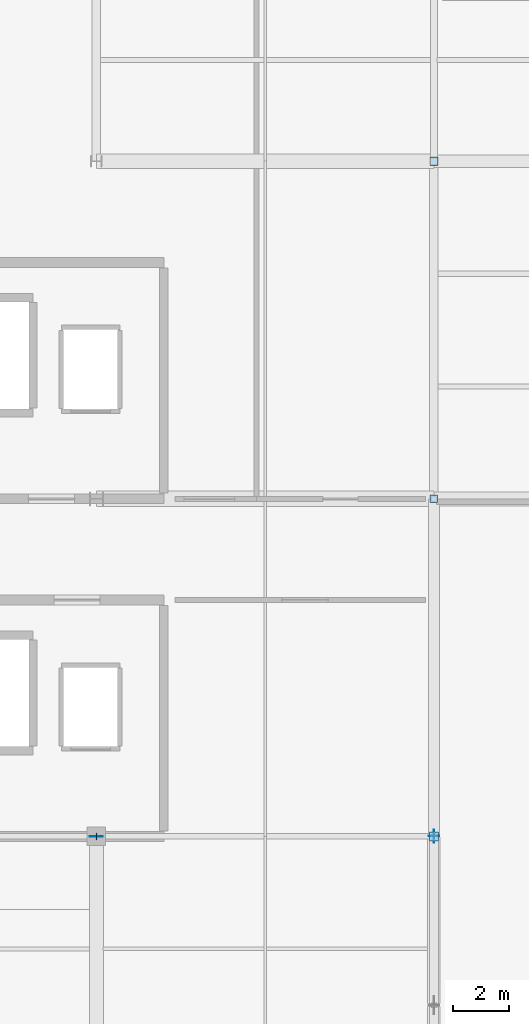
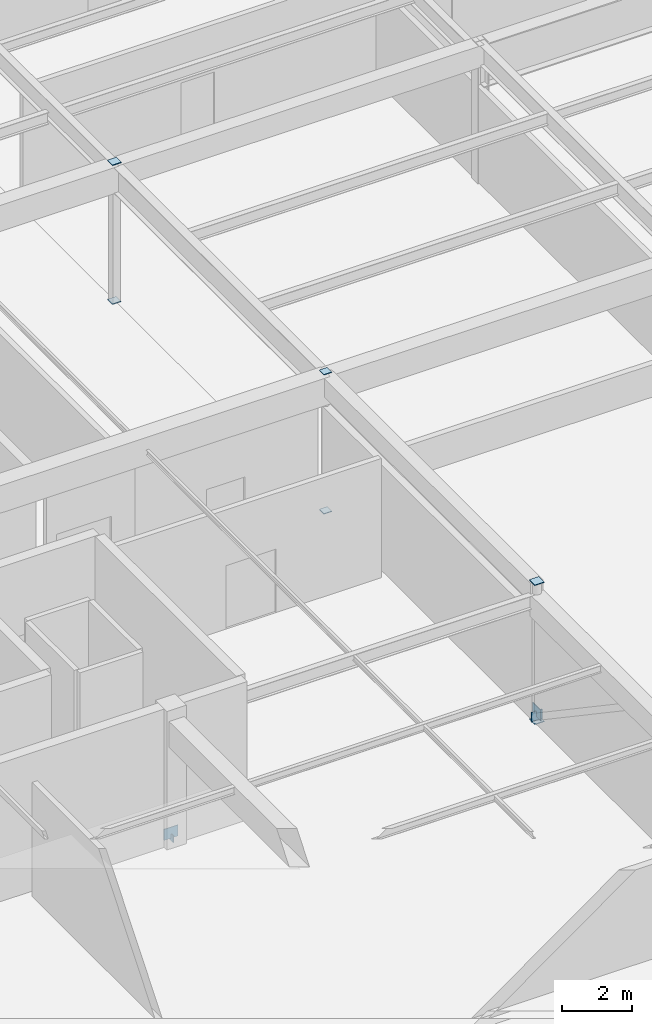
# One storey, part 138 of 186: 10 plates.
"""IFC4 building model written with IfcOpenShell, lengths in metres."""

from ifc_helpers import new_model, si_unit, direction, frame, origin, origin_2d, place, context, subcontext, project, spatial, rectangle, extrude, material, layer, layer_set, type_object, element, save


model = new_model("IFC4")

# Units and contexts
model_context = context("Model", 3, precision=1e-05, world=origin(), true_north=direction((0.0, 1.0)))
body_context = subcontext(model_context, "Body", "Model", "MODEL_VIEW")
ifc_project = project(units=[si_unit("LENGTHUNIT", "METRE"), si_unit("AREAUNIT", "SQUARE_METRE"), si_unit("VOLUMEUNIT", "CUBIC_METRE"), si_unit("PLANEANGLEUNIT", "RADIAN"), si_unit("MASSUNIT", "GRAM", prefix="KILO")], contexts=[model_context])

# Site, building, storey
site_placement = place(None, origin())
site = spatial("IfcSite", under=ifc_project, at=site_placement, CompositionType="ELEMENT")
building_placement = place(site_placement, origin())
building = spatial("IfcBuilding", under=site, at=building_placement, Name="Tarnwether General Hospital", CompositionType="ELEMENT")
storey_placement = place(building_placement, frame((0.0, 0.0, 9.60009765625)))
storey = spatial("IfcBuildingStorey", under=building, at=storey_placement, Name="L02", CompositionType="ELEMENT", Elevation=9.60009765625)

# Plates
ifc_material = material(Name="Steel Grade 350 (350 MPa)", Category="steel")
ifc_layer = layer(ifc_material, 0.02490234375)
ifc_layer_set = layer_set([ifc_layer], Name="Steel Grade 350 (350 MPa)")
plate_type = type_object("IfcPlateType", Name="PT-GUS2", PredefinedType="USERDEFINED", material=ifc_layer_set)
for number, where, z_axis, x_axis, name in (
    (1, (36.0, 69.60009765625, 0.10986328125), (0.0, 0.0, 1.0), (1.0, 0.0, 0.0), "Brace Base Gusset Plate 027"),
    (2, (48.0, 69.60009765625, 0.10986328125), (0.0, 0.0, 1.0), (0.0, 1.0, 0.0), "Brace Base Gusset Plate 030"),
):
    element("IfcPlate", number, at=place(storey_placement, frame(where, z_axis=z_axis, x_axis=x_axis)), inside=storey, type_object=plate_type, Name=name, ObjectType="GUSSET", PredefinedType="USERDEFINED", context=body_context, shape_type="SweptSolid", body=[
        extrude(rectangle(XDim=0.4599609375, YDim=0.02490234375, at=origin_2d()), origin(), (0.0, 0.0, 1.0), 0.3798828125),
    ])
for number, where, z_axis, x_axis, name in (
    (3, (48.0, 69.60009765625, -0.025146484375), (0.0, 0.0, 1.0), (1.0, 0.0, 0.0), "Hollow Section Welded End Cap Plate 0087"),
    (4, (48.0, 69.60009765625, 4.800048828125), (0.0, 0.0, 1.0), (1.0, 0.0, 0.0), "Hollow Section Welded End Cap Plate 0088"),
):
    element("IfcPlate", number, at=place(storey_placement, frame(where, z_axis=z_axis, x_axis=x_axis)), inside=storey, type_object=plate_type, Name=name, ObjectType="GUSSET", PredefinedType="USERDEFINED", context=body_context, shape_type="SweptSolid", body=[
        extrude(rectangle(XDim=0.31298828125, YDim=0.31298828125, at=origin_2d()), origin(), (0.0, 0.0, 1.0), 0.02490234375),
    ])
for number, where, z_axis, x_axis, name in (
    (5, (48.0, 81.60009765625, -0.025146484375), (0.0, 0.0, 1.0), (1.0, 0.0, 0.0), "Hollow Section Welded End Cap Plate 0095"),
    (6, (48.0, 81.60009765625, 4.800048828125), (0.0, 0.0, 1.0), (1.0, 0.0, 0.0), "Hollow Section Welded End Cap Plate 0096"),
):
    element("IfcPlate", number, at=place(storey_placement, frame(where, z_axis=z_axis, x_axis=x_axis)), inside=storey, type_object=plate_type, Name=name, ObjectType="GUSSET", PredefinedType="USERDEFINED", context=body_context, shape_type="SweptSolid", body=[
        extrude(rectangle(XDim=0.259033203125, YDim=0.259033203125, at=origin_2d()), origin(), (0.0, 0.0, 1.0), 0.02490234375),
    ])
for number, where, z_axis, x_axis, name in (
    (7, (48.0, 93.60009765625, -0.025146484375), (0.0, 0.0, 1.0), (1.0, 0.0, 0.0), "Hollow Section Welded End Cap Plate 0103"),
    (8, (48.0, 93.60009765625, 4.800048828125), (0.0, 0.0, 1.0), (1.0, 0.0, 0.0), "Hollow Section Welded End Cap Plate 0104"),
):
    element("IfcPlate", number, at=place(storey_placement, frame(where, z_axis=z_axis, x_axis=x_axis)), inside=storey, type_object=plate_type, Name=name, ObjectType="GUSSET", PredefinedType="USERDEFINED", context=body_context, shape_type="SweptSolid", body=[
        extrude(rectangle(XDim=0.2900390625, YDim=0.2900390625, at=origin_2d()), origin(), (0.0, 0.0, 1.0), 0.02490234375),
    ])
plate_1_placement = place(storey_placement, frame((36.010498046875, 69.60009765625, 0.0126953125), z_axis=(0.0, 0.0, 1.0), x_axis=(-1.0, 0.0, 0.0)))
element("IfcPlate", 9, at=plate_1_placement, inside=storey, type_object=plate_type, Name="Hollow Section Welded End Cap Plate 1213", ObjectType="GUSSET", PredefinedType="USERDEFINED", context=body_context, shape_type="SweptSolid", body=[
    extrude(rectangle(XDim=0.02490234375, YDim=0.239990234375, at=origin_2d()), origin(), (0.0, 0.0, 1.0), 0.239990234375),
])
plate_2_placement = place(storey_placement, frame((48.0, 69.6103515625, -0.04931640625), z_axis=(0.0, 0.0, 1.0), x_axis=(0.0, -1.0, 0.0)))
element("IfcPlate", 10, at=plate_2_placement, inside=storey, type_object=plate_type, Name="Hollow Section Welded End Cap Plate 1217", ObjectType="GUSSET", PredefinedType="USERDEFINED", context=body_context, shape_type="SweptSolid", body=[
    extrude(rectangle(XDim=0.02490234375, YDim=0.364013671875, at=origin_2d()), origin(), (0.0, 0.0, 1.0), 0.364013671875),
])

save(model, "model.ifc")
